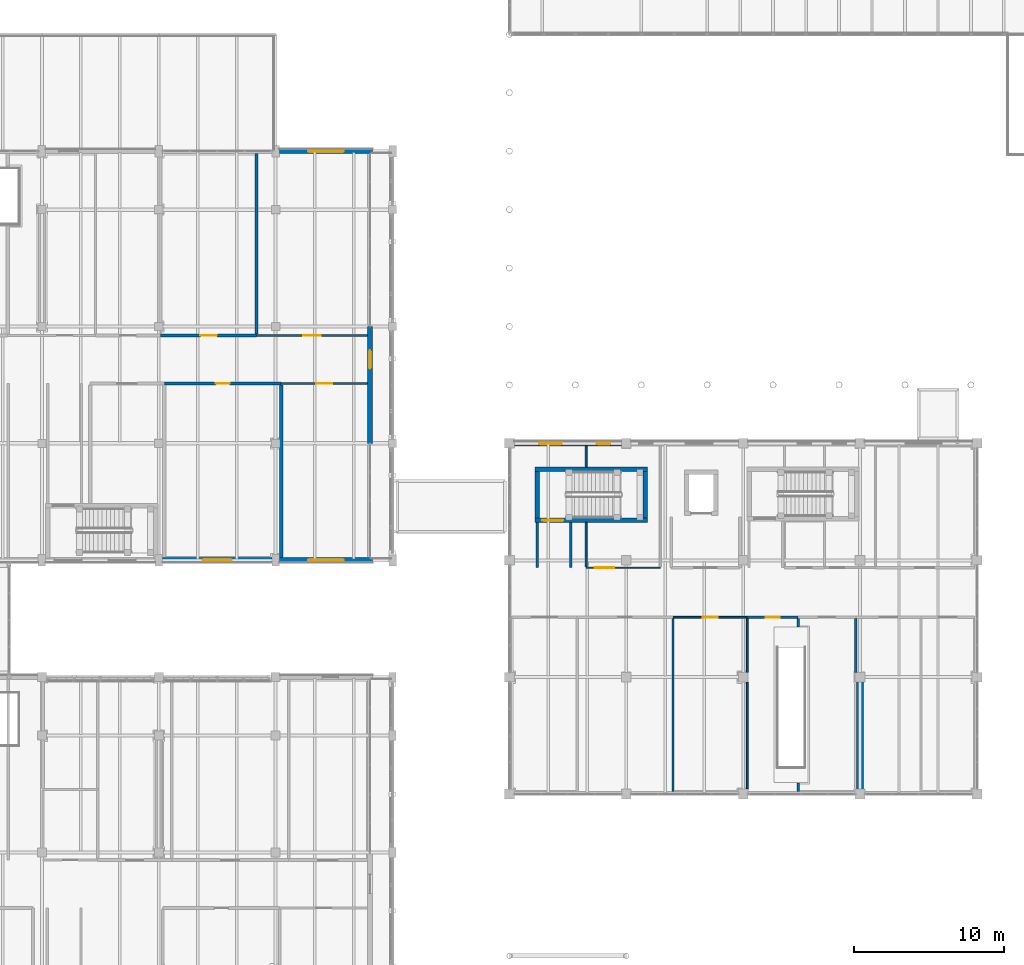
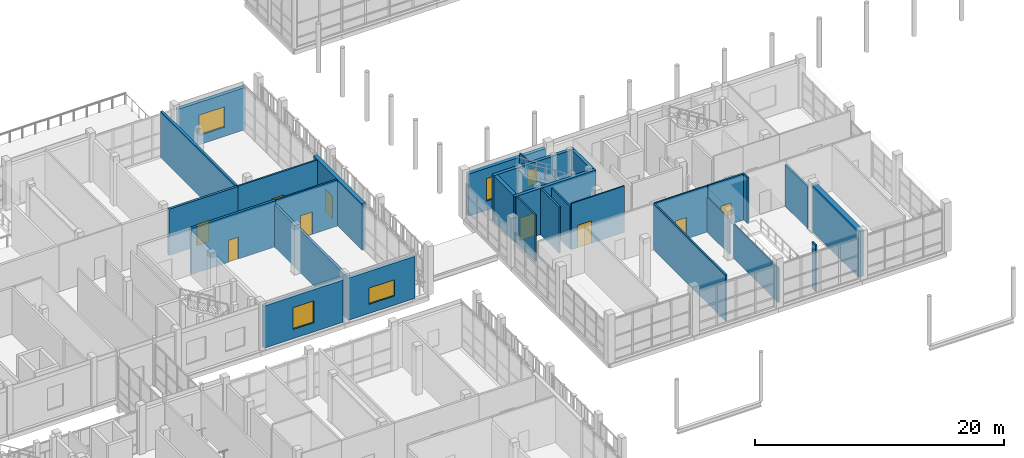
# One storey, part 104 of 138: 29 walls, 9 doors, 5 windows, 14 openings.
"""IFC4 building model written with IfcOpenShell, lengths in metres."""

import ifcopenshell
import ifcopenshell.guid

model = None  # the IFC model being written
_history = None  # IfcOwnerHistory: only IFC2X3 demands one
_inside = {}  # id of a spatial element -> (the spatial element, [elements in it])
_under = {}  # id of a project, library or spatial element -> (it, [spatial elements below it])
_declared = {}  # id of a project -> (the project, [libraries it declares])
_typed = {}  # id of a type object -> (the type object, [elements of that type])
_made_of = {}  # id of a material, layer set ... -> (it, [elements and type objects made of it])


def new_model(schema):
    """Start an empty IFC model of exactly this schema.

    Asked for "IFC4X3", IfcOpenShell would pick the latest addendum, in which some entities
    have other attributes; the version numbers below select the first issue.
    IFC2X3 requires an IfcOwnerHistory on every rooted entity: one is made here for all.
    """
    global model, _history
    if schema == "IFC4X3":
        model = ifcopenshell.file(schema_version=(4, 3, 0, 0))
    else:
        model = ifcopenshell.file(schema=schema)
    _inside.clear()
    _under.clear()
    _declared.clear()
    _typed.clear()
    _made_of.clear()
    _history = None
    if model.schema == "IFC2X3":
        org = make("IfcOrganization", Name="unknown")
        user = make(
            "IfcPersonAndOrganization",
            ThePerson=make("IfcPerson", FamilyName="unknown"),
            TheOrganization=org,
        )
        app = make(
            "IfcApplication",
            ApplicationDeveloper=org,
            Version="unknown",
            ApplicationFullName="unknown",
            ApplicationIdentifier="unknown",
        )
        _history = make(
            "IfcOwnerHistory",
            OwningUser=user,
            OwningApplication=app,
            ChangeAction="ADDED",
            CreationDate=0,
        )
    return model


def make(cls, **values):
    """One entity of the class cls with the attributes given. An attribute that is None is left unset."""
    return model.create_entity(
        cls, **{name: value for name, value in values.items() if value is not None}
    )


def rooted(cls, **values):
    """An entity with a GlobalId (a new one), such as an element, a storey or a relation."""
    return make(cls, GlobalId=ifcopenshell.guid.new(), OwnerHistory=_history, **values)


def si_unit(unit_type, name, prefix=None):
    """IfcSIUnit, for example si_unit("LENGTHUNIT", "METRE", prefix="MILLI")."""
    return make("IfcSIUnit", UnitType=unit_type, Prefix=prefix, Name=name)


def assignment(units):
    """IfcUnitAssignment: the units of a project."""
    return None if units is None else make("IfcUnitAssignment", Units=units)


def point(xyz):
    """IfcCartesianPoint."""
    return None if xyz is None else make("IfcCartesianPoint", Coordinates=xyz)


def direction(xyz):
    """IfcDirection."""
    return None if xyz is None else make("IfcDirection", DirectionRatios=xyz)


def frame(location, z_axis=None, x_axis=None):
    """IfcAxis2Placement3D, a coordinate frame: its origin and axes. An axis left out is left unset."""
    return make(
        "IfcAxis2Placement3D",
        Location=point(location),
        Axis=direction(z_axis),
        RefDirection=direction(x_axis),
    )


def frame_2d(location, x_axis=None):
    """IfcAxis2Placement2D, a coordinate frame in the plane: its origin and x axis."""
    return make(
        "IfcAxis2Placement2D", Location=point(location), RefDirection=direction(x_axis)
    )


def origin():
    """The frame at (0, 0, 0) with its axes left unset."""
    return frame((0.0, 0.0, 0.0))


def place(relative_to, where):
    """IfcLocalPlacement: puts the frame where relative to a parent placement (None: the world)."""
    return make(
        "IfcLocalPlacement", PlacementRelTo=relative_to, RelativePlacement=where
    )


def context(
    kind, dimensions, precision=None, world=None, true_north=None, identifier=None
):
    """IfcGeometricRepresentationContext, for example the 3D "Model" context."""
    return make(
        "IfcGeometricRepresentationContext",
        ContextIdentifier=identifier,
        ContextType=kind,
        CoordinateSpaceDimension=dimensions,
        Precision=precision,
        WorldCoordinateSystem=world,
        TrueNorth=true_north,
    )


def subcontext(parent, identifier, kind, view, scale=None):
    """IfcGeometricRepresentationSubContext, for example "Body" below "Model"."""
    return make(
        "IfcGeometricRepresentationSubContext",
        ContextIdentifier=identifier,
        ContextType=kind,
        ParentContext=parent,
        TargetScale=scale,
        TargetView=view,
    )


def project(units=None, contexts=None):
    """IfcProject with its units and contexts."""
    return rooted(
        "IfcProject",
        Name="project",
        RepresentationContexts=contexts,
        UnitsInContext=assignment(units),
    )


def spatial(cls, under=None, at=None, **own):
    """A site, building, storey or space (cls), placed at a placement, below another one or the project."""
    s = rooted(cls, ObjectPlacement=at, **own)
    if under is not None:
        _under.setdefault(under.id(), (under, []))[1].append(s)
    return s


def profile(cls, at=None, kind="AREA", **sizes):
    """A parametric profile (cls). Its sizes go by their IFC names, for example OverallWidth=200.0."""
    return make(cls, ProfileType=kind, Position=at, **sizes)


def rectangle(**sizes):
    """IfcRectangleProfileDef."""
    return profile("IfcRectangleProfileDef", **sizes)


def extrude(swept, where, along, depth):
    """IfcExtrudedAreaSolid: the profile swept, set in the frame where, extruded along a direction by depth."""
    return make(
        "IfcExtrudedAreaSolid",
        SweptArea=swept,
        Position=where,
        ExtrudedDirection=direction(along),
        Depth=depth,
    )


def shape(context_of_items, identifier, shape_type, items):
    """IfcShapeRepresentation: the items that make up one representation, for example the "Body"."""
    return make(
        "IfcShapeRepresentation",
        ContextOfItems=context_of_items,
        RepresentationIdentifier=identifier,
        RepresentationType=shape_type,
        Items=items,
    )


def material(Name=None, Category=None):
    """IfcMaterial."""
    return make("IfcMaterial", Name=Name, Category=Category)


def layer(
    of_material, thickness, ventilated=None, Name=None, Category=None, Priority=None
):
    """IfcMaterialLayer: one layer of a wall or slab, of a material (None: an air gap)."""
    return make(
        "IfcMaterialLayer",
        Material=of_material,
        LayerThickness=thickness,
        IsVentilated=ventilated,
        Name=Name,
        Category=Category,
        Priority=Priority,
    )


def layer_set(layers, Name=None):
    """IfcMaterialLayerSet."""
    return make("IfcMaterialLayerSet", MaterialLayers=layers, LayerSetName=Name)


def made_of(thing, what):
    """Note that an element or type object is made of a material, layer set ...; save() writes the relation."""
    if what is not None:
        _made_of.setdefault(what.id(), (what, []))[1].append(thing)
    return thing


def type_object(cls, material=None, **own):
    """A type object (cls), such as IfcWallType, which elements share."""
    return made_of(rooted(cls, **own), material)


def element(
    cls,
    number,
    at=None,
    inside=None,
    cuts=None,
    type_object=None,
    material=None,
    context=None,
    identifier="Body",
    shape_type=None,
    held_by="IfcProductDefinitionShape",
    body=None,
    shapes=None,
    **own,
):
    """One element of the class cls, such as IfcWall. Its Tag is "e" and its number.

    at: its placement. inside: the storey or other place that contains it. cuts: it is an
    opening in that element (IfcRelVoidsElement). A single representation is given by context,
    identifier, shape_type and body (its items); several are given by shapes. held_by: the class
    of the entity that holds the representations. save() writes the other relations.
    """
    e = rooted(cls, Tag="e%d" % number, ObjectPlacement=at, **own)
    if body is not None:
        shapes = [shape(context, identifier, shape_type, body)]
    if shapes is not None:
        e.Representation = make(held_by, Representations=shapes)
    if inside is not None:
        _inside.setdefault(inside.id(), (inside, []))[1].append(e)
    if cuts is not None:
        rooted(
            "IfcRelVoidsElement", RelatingBuildingElement=cuts, RelatedOpeningElement=e
        )
    if type_object is not None:
        _typed.setdefault(type_object.id(), (type_object, []))[1].append(e)
    return made_of(e, material)


def fill(opening, filler):
    """IfcRelFillsElement: the door or window that sits in an opening."""
    return rooted(
        "IfcRelFillsElement",
        RelatingOpeningElement=opening,
        RelatedBuildingElement=filler,
    )


def aggregate(whole, parts):
    """IfcRelAggregates: a whole, such as a stair, and the parts it consists of."""
    return rooted("IfcRelAggregates", RelatingObject=whole, RelatedObjects=parts)


def save(model, path):
    """Write the relations noted so far, then the file.

    IfcRelAggregates (storeys below a building ...), IfcRelContainedInSpatialStructure (elements
    in a storey), IfcRelDefinesByType, IfcRelAssociatesMaterial and IfcRelDeclares: one each for
    every whole, place, type object, material and project.
    """
    for whole, parts in _under.values():
        aggregate(whole, parts)
    for where, things in _inside.values():
        rooted(
            "IfcRelContainedInSpatialStructure",
            RelatedElements=things,
            RelatingStructure=where,
        )
    for kind, things in _typed.values():
        rooted("IfcRelDefinesByType", RelatedObjects=things, RelatingType=kind)
    for what, things in _made_of.values():
        rooted("IfcRelAssociatesMaterial", RelatedObjects=things, RelatingMaterial=what)
    for by, libraries in _declared.values():
        rooted("IfcRelDeclares", RelatingContext=by, RelatedDefinitions=libraries)
    model.write(path)


model = new_model("IFC4")

# Units and contexts
model_context = context("Model", 3, precision=1e-05, world=origin(), true_north=direction((0.0, 1.0)))
body_context = subcontext(model_context, "Body", "Model", "MODEL_VIEW")
ifc_project = project(units=[si_unit("LENGTHUNIT", "METRE"), si_unit("AREAUNIT", "SQUARE_METRE"), si_unit("VOLUMEUNIT", "CUBIC_METRE"), si_unit("PLANEANGLEUNIT", "RADIAN"), si_unit("MASSUNIT", "GRAM", prefix="KILO")], contexts=[model_context])

# Site, building, storey
site_placement = place(None, origin())
site = spatial("IfcSite", under=ifc_project, at=site_placement, CompositionType="ELEMENT")
building_placement = place(site_placement, origin())
building = spatial("IfcBuilding", under=site, at=building_placement, Name="Celorna Specialist Clinic", CompositionType="ELEMENT")
storey_placement = place(building_placement, frame((0.0, 0.0, 4.800048828125)))
storey = spatial("IfcBuildingStorey", under=building, at=storey_placement, Name="L01", CompositionType="ELEMENT", Elevation=4.800048828125)

# Wall
ifc_material_1 = material(Name="Concrete C40/50", Category="concrete")
ifc_layer_1 = layer(ifc_material_1, 0.449951171875, Name="Concrete C40/50")
ifc_layer_set_1 = layer_set([ifc_layer_1], Name="Concrete C40/50")
wall_type_1 = type_object("IfcWallType", Name="WT-04", PredefinedType="SHEAR", material=ifc_layer_set_1)
wall_1_placement = place(storey_placement, frame((78.0, 19.64990234375, 0.0), z_axis=(0.0, 0.0, 1.0), x_axis=(0.0, 1.0, 0.0)))
element("IfcWall", 1, at=wall_1_placement, inside=storey, type_object=wall_type_1, Name="Structural RC shear wall WT-04 V6 L01", PredefinedType="SHEAR", context=body_context, shape_type="SweptSolid", body=[
    extrude(rectangle(XDim=7.5, YDim=0.449951171875, at=frame_2d((3.75, 0.0))), origin(), (0.0, 0.0, 1.0), 4.5400390625),
])

# Wall, opening, window
ifc_material_2 = material(Name="Pero Pinheiro Lioz limestone insulated masonry", Category="masonry")
ifc_layer_2 = layer(ifc_material_2, 0.340087890625, Name="Pero Pinheiro Lioz limestone insulated masonry")
ifc_layer_set_2 = layer_set([ifc_layer_2], Name="Pero Pinheiro Lioz limestone insulated masonry")
wall_type_2 = type_object("IfcWallType", Name="WT-07", PredefinedType="STANDARD", material=ifc_layer_set_2)
wall_2_placement = place(storey_placement, frame((38.75, 35.10009765625, 0.0), z_axis=(0.0, 0.0, 1.0), x_axis=(-1.0, 0.0, 0.0)))
wall_2 = element("IfcWall", 2, at=wall_2_placement, inside=storey, type_object=wall_type_2, Name="External facade wall WT-07 #121", PredefinedType="STANDARD", context=body_context, shape_type="SweptSolid", body=[
    extrude(rectangle(XDim=7.300048828125, YDim=0.340087890625, at=frame_2d((3.64990234375, 0.0))), origin(), (0.0, 0.0, 1.0), 4.139892578125),
])
opening_1_placement = place(wall_2_placement, frame((2.675048828125, 0.0, 0.89990234375)))
opening_1 = element("IfcOpeningElement", 3, at=opening_1_placement, cuts=wall_2, Name="Opening WN-16", PredefinedType="OPENING", context=body_context, shape_type="SweptSolid", body=[
    extrude(rectangle(XDim=1.949951171875, YDim=2.14990234375, at=frame_2d((0.97509765625, 1.074951171875))), frame((0.0, 0.179931640625, 0.0), z_axis=(0.0, -1.0, 0.0), x_axis=(1.0, 0.0, 0.0)), (0.0, 0.0, 1.0), 0.360107421875),
])
ifc_material_3 = material(Name="Screen-aligned modular clinic window")
window_type_1 = type_object("IfcWindowType", Name="WN-16", PartitioningType="SINGLE_PANEL", PredefinedType="WINDOW", material=ifc_material_3)
window_1_placement = place(opening_1_placement, origin())
window_1 = element("IfcWindow", 4, at=window_1_placement, inside=storey, type_object=window_type_1, Name="Facade window WN-16 #33", OverallHeight=2.14990234375, OverallWidth=1.949951171875, PartitioningType="SINGLE_PANEL", PredefinedType="WINDOW", context=body_context, shape_type="SweptSolid", body=[
    extrude(rectangle(XDim=1.949951171875, YDim=2.14990234375, at=frame_2d((0.97509765625, 1.074951171875))), frame((0.0, 0.030029296875, 0.0), z_axis=(0.0, -1.0, 0.0), x_axis=(1.0, 0.0, 0.0)), (0.0, 0.0, 1.0), 0.06005859375),
])
fill(opening_1, window_1)

wall_3_placement = place(storey_placement, frame((45.469970703125, 35.10009765625, 0.0), z_axis=(0.0, 0.0, 1.0), x_axis=(-1.0, 0.0, 0.0)))
wall_3 = element("IfcWall", 5, at=wall_3_placement, inside=storey, type_object=wall_type_2, Name="External facade wall WT-07 #122", PredefinedType="STANDARD", context=body_context, shape_type="SweptSolid", body=[
    extrude(rectangle(XDim=6.219970703125, YDim=0.340087890625, at=frame_2d((3.10986328125, 0.0))), origin(), (0.0, 0.0, 1.0), 4.139892578125),
])
opening_2_placement = place(wall_3_placement, frame((1.909912109375, 0.0, 0.89990234375)))
opening_2 = element("IfcOpeningElement", 6, at=opening_2_placement, cuts=wall_3, Name="Opening WN-18", PredefinedType="OPENING", context=body_context, shape_type="SweptSolid", body=[
    extrude(rectangle(XDim=2.39990234375, YDim=1.60009765625, at=frame_2d((1.199951171875, 0.800048828125))), frame((0.0, 0.179931640625, 0.0), z_axis=(0.0, -1.0, 0.0), x_axis=(1.0, 0.0, 0.0)), (0.0, 0.0, 1.0), 0.360107421875),
])
ifc_material_4 = material(Name="Infusion suite panoramic window")
window_type_2 = type_object("IfcWindowType", Name="WN-18", PartitioningType="SINGLE_PANEL", PredefinedType="WINDOW", material=ifc_material_4)
window_2_placement = place(opening_2_placement, origin())
window_2 = element("IfcWindow", 7, at=window_2_placement, inside=storey, type_object=window_type_2, Name="Facade window WN-18 #34", OverallHeight=1.60009765625, OverallWidth=2.39990234375, PartitioningType="SINGLE_PANEL", PredefinedType="WINDOW", context=body_context, shape_type="SweptSolid", body=[
    extrude(rectangle(XDim=2.39990234375, YDim=1.60009765625, at=frame_2d((1.199951171875, 0.800048828125))), frame((0.0, 0.030029296875, 0.0), z_axis=(0.0, -1.0, 0.0), x_axis=(1.0, 0.0, 0.0)), (0.0, 0.0, 1.0), 0.06005859375),
])
fill(opening_2, window_2)

wall_4_placement = place(storey_placement, frame((39.25, 62.39990234375, 0.0), z_axis=(0.0, 0.0, 1.0), x_axis=(1.0, 0.0, 0.0)))
wall_4 = element("IfcWall", 8, at=wall_4_placement, inside=storey, type_object=wall_type_2, Name="External facade wall WT-07 #124", PredefinedType="STANDARD", context=body_context, shape_type="SweptSolid", body=[
    extrude(rectangle(XDim=6.219970703125, YDim=0.340087890625, at=frame_2d((3.10986328125, 0.0))), origin(), (0.0, 0.0, 1.0), 4.139892578125),
])
opening_3_placement = place(wall_4_placement, frame((1.909912109375, 0.0, 0.89990234375)))
opening_3 = element("IfcOpeningElement", 9, at=opening_3_placement, cuts=wall_4, Name="Opening WN-19", PredefinedType="OPENING", context=body_context, shape_type="SweptSolid", body=[
    extrude(rectangle(XDim=2.39990234375, YDim=2.0, at=frame_2d((1.199951171875, 1.0))), frame((0.0, 0.179931640625, 0.0), z_axis=(0.0, -1.0, 0.0), x_axis=(1.0, 0.0, 0.0)), (0.0, 0.0, 1.0), 0.360107421875),
])
ifc_material_5 = material(Name="Rehabilitation gym daylight window")
window_type_3 = type_object("IfcWindowType", Name="WN-19", PartitioningType="SINGLE_PANEL", PredefinedType="WINDOW", material=ifc_material_5)
window_3_placement = place(opening_3_placement, origin())
window_3 = element("IfcWindow", 10, at=window_3_placement, inside=storey, type_object=window_type_3, Name="Facade window WN-19 #35", OverallHeight=2.0, OverallWidth=2.39990234375, PartitioningType="SINGLE_PANEL", PredefinedType="WINDOW", context=body_context, shape_type="SweptSolid", body=[
    extrude(rectangle(XDim=2.39990234375, YDim=2.0, at=frame_2d((1.199951171875, 1.0))), frame((0.0, 0.030029296875, 0.0), z_axis=(0.0, -1.0, 0.0), x_axis=(1.0, 0.0, 0.0)), (0.0, 0.0, 1.0), 0.06005859375),
])
fill(opening_3, window_3)

# Wall, opening, door
wall_5_placement = place(storey_placement, frame((45.300048828125, 50.699951171875, 0.0), z_axis=(0.0, 0.0, 1.0), x_axis=(0.0, -1.0, 0.0)))
wall_5 = element("IfcWall", 11, at=wall_5_placement, inside=storey, type_object=wall_type_2, Name="External facade wall WT-07 #129", PredefinedType="STANDARD", context=body_context, shape_type="SweptSolid", body=[
    extrude(rectangle(XDim=7.800048828125, YDim=0.340087890625, at=frame_2d((3.89990234375, 0.0))), origin(), (0.0, 0.0, 1.0), 4.5400390625),
])
opening_4_placement = place(wall_5_placement, frame((1.574951171875, 0.0, 0.0)))
opening_4 = element("IfcOpeningElement", 12, at=opening_4_placement, cuts=wall_5, Name="Opening DR-13", PredefinedType="OPENING", context=body_context, shape_type="SweptSolid", body=[
    extrude(rectangle(XDim=1.25, YDim=2.199951171875, at=frame_2d((0.625, 1.10009765625))), frame((0.0, 0.179931640625, 0.0), z_axis=(0.0, -1.0, 0.0), x_axis=(1.0, 0.0, 0.0)), (0.0, 0.0, 1.0), 0.360107421875),
])
ifc_material_6 = material(Name="Thermally broken glazed terrace door")
door_type_1 = type_object("IfcDoorType", Name="DR-13", OperationType="NOTDEFINED", PredefinedType="DOOR", material=ifc_material_6)
door_1_placement = place(opening_4_placement, frame((1.25, 0.0, 0.0), z_axis=(0.0, 0.0, 1.0), x_axis=(-1.0, 0.0, 0.0)))
door_1 = element("IfcDoor", 13, at=door_1_placement, inside=storey, type_object=door_type_1, Name="Terrace access door TER-V2-VER-L01", OperationType="SINGLE_SWING_LEFT", OverallHeight=2.199951171875, OverallWidth=1.25, PredefinedType="DOOR", context=body_context, shape_type="SweptSolid", body=[
    extrude(rectangle(XDim=1.25, YDim=2.199951171875, at=frame_2d((0.625, 1.10009765625))), frame((0.0, 0.02490234375, 0.0), z_axis=(0.0, -1.0, 0.0), x_axis=(1.0, 0.0, 0.0)), (0.0, 0.0, 1.0), 0.050048828125),
])
fill(opening_4, door_1)

# Wall, openings, windows
wall_6_placement = place(storey_placement, frame((54.925048828125, 42.89990234375, 0.0), z_axis=(0.0, 0.0, 1.0), x_axis=(1.0, 0.0, 0.0)))
wall_6 = element("IfcWall", 14, at=wall_6_placement, inside=storey, type_object=wall_type_2, Name="External facade wall WT-07 #387", PredefinedType="STANDARD", context=body_context, shape_type="SweptSolid", body=[
    extrude(rectangle(XDim=7.14990234375, YDim=0.340087890625, at=frame_2d((3.574951171875, 0.0))), origin(), (0.0, 0.0, 1.0), 4.139892578125),
])
opening_5_placement = place(wall_6_placement, frame((1.657470703125, 0.0, 0.89990234375)))
opening_5 = element("IfcOpeningElement", 15, at=opening_5_placement, cuts=wall_6, Name="Opening WN-10", PredefinedType="OPENING", context=body_context, shape_type="SweptSolid", body=[
    extrude(rectangle(XDim=1.5, YDim=2.199951171875, at=frame_2d((0.75, 1.10009765625))), frame((0.0, 0.179931640625, 0.0), z_axis=(0.0, -1.0, 0.0), x_axis=(1.0, 0.0, 0.0)), (0.0, 0.0, 1.0), 0.360107421875),
])
opening_6_placement = place(wall_6_placement, frame((5.512451171875, 0.0, 0.89990234375)))
opening_6 = element("IfcOpeningElement", 16, at=opening_6_placement, cuts=wall_6, Name="Opening WN-01", PredefinedType="OPENING", context=body_context, shape_type="SweptSolid", body=[
    extrude(rectangle(XDim=0.89990234375, YDim=1.60009765625, at=frame_2d((0.449951171875, 0.800048828125))), frame((0.0, 0.179931640625, 0.0), z_axis=(0.0, -1.0, 0.0), x_axis=(1.0, 0.0, 0.0)), (0.0, 0.0, 1.0), 0.360107421875),
])
ifc_material_7 = material(Name="Thermally broken aluminium triple-glazed window", Category="aluminium")
window_type_4 = type_object("IfcWindowType", Name="WN-01", PartitioningType="SINGLE_PANEL", PredefinedType="WINDOW", material=ifc_material_7)
window_4_placement = place(opening_6_placement, origin())
window_4 = element("IfcWindow", 17, at=window_4_placement, inside=storey, type_object=window_type_4, Name="Facade window WN-01 #248", OverallHeight=1.60009765625, OverallWidth=0.89990234375, PartitioningType="SINGLE_PANEL", PredefinedType="WINDOW", context=body_context, shape_type="SweptSolid", body=[
    extrude(rectangle(XDim=0.89990234375, YDim=1.60009765625, at=frame_2d((0.449951171875, 0.800048828125))), frame((0.0, 0.030029296875, 0.0), z_axis=(0.0, -1.0, 0.0), x_axis=(1.0, 0.0, 0.0)), (0.0, 0.0, 1.0), 0.06005859375),
])
fill(opening_6, window_4)
window_type_5 = type_object("IfcWindowType", Name="WN-10", PartitioningType="SINGLE_PANEL", PredefinedType="WINDOW", material=ifc_material_7)
window_5_placement = place(opening_5_placement, origin())
window_5 = element("IfcWindow", 18, at=window_5_placement, inside=storey, type_object=window_type_5, Name="Facade window WN-10 #247", OverallHeight=2.199951171875, OverallWidth=1.5, PartitioningType="SINGLE_PANEL", PredefinedType="WINDOW", context=body_context, shape_type="SweptSolid", body=[
    extrude(rectangle(XDim=1.5, YDim=2.199951171875, at=frame_2d((0.75, 1.10009765625))), frame((0.0, 0.030029296875, 0.0), z_axis=(0.0, -1.0, 0.0), x_axis=(1.0, 0.0, 0.0)), (0.0, 0.0, 1.0), 0.06005859375),
])
fill(opening_5, window_5)

# Wall, opening, door
ifc_material_8 = material(Name="Concrete C35/45", Category="concrete")
ifc_layer_3 = layer(ifc_material_8, 0.300048828125, Name="Concrete C35/45")
ifc_layer_set_3 = layer_set([ifc_layer_3], Name="Concrete C35/45")
wall_type_3 = type_object("IfcWallType", Name="WT-08", PredefinedType="SHEAR", material=ifc_layer_set_3)
wall_7_placement = place(storey_placement, frame((56.300048828125, 37.77001953125, 0.0), z_axis=(0.0, 0.0, 1.0), x_axis=(1.0, 0.0, 0.0)))
wall_7 = element("IfcWall", 19, at=wall_7_placement, inside=storey, type_object=wall_type_3, Name="Stair ST-08 RC core wall L01 south", PredefinedType="SHEAR", context=body_context, shape_type="SweptSolid", body=[
    extrude(rectangle(XDim=7.5, YDim=0.300048828125, at=frame_2d((3.75, 0.0))), origin(), (0.0, 0.0, 1.0), 4.5400390625),
])
opening_7_placement = place(wall_7_placement, frame((0.5, 0.0, 0.0)))
opening_7 = element("IfcOpeningElement", 20, at=opening_7_placement, cuts=wall_7, Name="Opening DR-10", PredefinedType="OPENING", context=body_context, shape_type="SweptSolid", body=[
    extrude(rectangle(XDim=1.39990234375, YDim=2.199951171875, at=frame_2d((0.699951171875, 1.10009765625))), frame((0.0, 0.159912109375, 0.0), z_axis=(0.0, -1.0, 0.0), x_axis=(1.0, 0.0, 0.0)), (0.0, 0.0, 1.0), 0.320068359375),
])
ifc_material_9 = material(Name="Protected exit stair fire door")
door_type_2 = type_object("IfcDoorType", Name="DR-10", OperationType="NOTDEFINED", PredefinedType="DOOR", material=ifc_material_9)
door_2_placement = place(opening_7_placement, origin())
door_2 = element("IfcDoor", 21, at=door_2_placement, inside=storey, type_object=door_type_2, Name="Protected exit stair door ST-08 L01", OperationType="SINGLE_SWING_RIGHT", OverallHeight=2.199951171875, OverallWidth=1.39990234375, PredefinedType="DOOR", context=body_context, shape_type="SweptSolid", body=[
    extrude(rectangle(XDim=1.39990234375, YDim=2.199951171875, at=frame_2d((0.699951171875, 1.10009765625))), frame((0.0, 0.02490234375, 0.0), z_axis=(0.0, -1.0, 0.0), x_axis=(1.0, 0.0, 0.0)), (0.0, 0.0, 1.0), 0.050048828125),
])
fill(opening_7, door_2)

# Walls
wall_8_placement = place(storey_placement, frame((63.800048828125, 41.169921875, 0.0), z_axis=(0.0, 0.0, 1.0), x_axis=(-1.0, 0.0, 0.0)))
element("IfcWall", 22, at=wall_8_placement, inside=storey, type_object=wall_type_3, Name="Stair ST-08 RC core wall L01 north", PredefinedType="SHEAR", context=body_context, shape_type="SweptSolid", body=[
    extrude(rectangle(XDim=7.5, YDim=0.300048828125, at=frame_2d((3.75, 0.0))), origin(), (0.0, 0.0, 1.0), 4.5400390625),
])
for number, where, z_axis, x_axis, name in (
    (23, (56.449951171875, 41.02001953125, 0.0), (0.0, 0.0, 1.0), (0.0, -1.0, 0.0), "Stair ST-08 RC core wall L01 west"),
    (24, (63.64990234375, 37.919921875, 0.0), (0.0, 0.0, 1.0), (0.0, 1.0, 0.0), "Stair ST-08 RC core wall L01 east"),
):
    element("IfcWall", number, at=place(storey_placement, frame(where, z_axis=z_axis, x_axis=x_axis)), inside=storey, type_object=wall_type_3, Name=name, PredefinedType="SHEAR", context=body_context, shape_type="SweptSolid", body=[
        extrude(rectangle(XDim=3.10009765625, YDim=0.300048828125, at=frame_2d((1.550048828125, 0.0))), origin(), (0.0, 0.0, 1.0), 4.5400390625),
    ])

# Wall, opening, door
ifc_material_10 = material(Name="Lead-lined gypsum and masonry partition", Category="masonry")
ifc_layer_4 = layer(ifc_material_10, 0.219970703125, Name="Lead-lined gypsum and masonry partition")
ifc_layer_set_4 = layer_set([ifc_layer_4], Name="Lead-lined gypsum and masonry partition")
wall_type_4 = type_object("IfcWallType", Name="WT-11", PredefinedType="PARTITIONING", material=ifc_layer_set_4)
wall_9_placement = place(storey_placement, frame((39.3701171875, 46.89990234375, 0.0), z_axis=(0.0, 0.0, 1.0), x_axis=(-1.0, 0.0, 0.0)))
wall_9 = element("IfcWall", 25, at=wall_9_placement, inside=storey, type_object=wall_type_4, Name="Interior partition WT-11 L01-027", PredefinedType="PARTITIONING", context=body_context, shape_type="SweptSolid", body=[
    extrude(rectangle(XDim=7.800048828125, YDim=0.219970703125, at=frame_2d((3.89990234375, 0.0))), origin(), (0.0, 0.0, 1.0), 4.5400390625),
])
opening_8_placement = place(wall_9_placement, frame((3.43994140625, 0.0, 0.0)))
opening_8 = element("IfcOpeningElement", 26, at=opening_8_placement, cuts=wall_9, Name="Opening DR-20", PredefinedType="OPENING", context=body_context, shape_type="SweptSolid", body=[
    extrude(rectangle(XDim=0.919921875, YDim=2.14990234375, at=frame_2d((0.4599609375, 1.074951171875))), frame((0.0, 0.119873046875, 0.0), z_axis=(0.0, -1.0, 0.0), x_axis=(1.0, 0.0, 0.0)), (0.0, 0.0, 1.0), 0.239990234375),
])
ifc_material_11 = material(Name="Timber clinical consultation door", Category="wood")
door_type_3 = type_object("IfcDoorType", Name="DR-20", OperationType="NOTDEFINED", PredefinedType="DOOR", material=ifc_material_11)
door_3_placement = place(opening_8_placement, origin())
door_3 = element("IfcDoor", 27, at=door_3_placement, inside=storey, type_object=door_type_3, Name="Fluoroscopy Procedure Room door L01-027", OperationType="SINGLE_SWING_LEFT", OverallHeight=2.14990234375, OverallWidth=0.919921875, PredefinedType="DOOR", context=body_context, shape_type="SweptSolid", body=[
    extrude(rectangle(XDim=0.919921875, YDim=2.14990234375, at=frame_2d((0.4599609375, 1.074951171875))), frame((0.0, 0.02490234375, 0.0), z_axis=(0.0, -1.0, 0.0), x_axis=(1.0, 0.0, 0.0)), (0.0, 0.0, 1.0), 0.050048828125),
])
fill(opening_8, door_3)

wall_10_placement = place(storey_placement, frame((31.320068359375, 50.10009765625, 0.0), z_axis=(0.0, 0.0, 1.0), x_axis=(1.0, 0.0, 0.0)))
wall_10 = element("IfcWall", 28, at=wall_10_placement, inside=storey, type_object=wall_type_4, Name="Interior partition WT-11 L01-035", PredefinedType="PARTITIONING", context=body_context, shape_type="SweptSolid", body=[
    extrude(rectangle(XDim=6.39990234375, YDim=0.219970703125, at=frame_2d((3.199951171875, 0.0))), origin(), (0.0, 0.0, 1.0), 4.5400390625),
])
opening_9_placement = place(wall_10_placement, frame((2.64990234375, 0.0, 0.0)))
opening_9 = element("IfcOpeningElement", 29, at=opening_9_placement, cuts=wall_10, Name="Opening DR-06", PredefinedType="OPENING", context=body_context, shape_type="SweptSolid", body=[
    extrude(rectangle(XDim=1.10009765625, YDim=2.14990234375, at=frame_2d((0.550048828125, 1.074951171875))), frame((0.0, 0.119873046875, 0.0), z_axis=(0.0, -1.0, 0.0), x_axis=(1.0, 0.0, 0.0)), (0.0, 0.0, 1.0), 0.239990234375),
])
ifc_material_12 = material(Name="Clinical treatment suite door")
door_type_4 = type_object("IfcDoorType", Name="DR-06", OperationType="NOTDEFINED", PredefinedType="DOOR", material=ifc_material_12)
door_4_placement = place(opening_9_placement, origin())
door_4 = element("IfcDoor", 30, at=door_4_placement, inside=storey, type_object=door_type_4, Name="Fluoroscopy Procedure Room door L01-035", OperationType="SINGLE_SWING_LEFT", OverallHeight=2.14990234375, OverallWidth=1.10009765625, PredefinedType="DOOR", context=body_context, shape_type="SweptSolid", body=[
    extrude(rectangle(XDim=1.10009765625, YDim=2.14990234375, at=frame_2d((0.550048828125, 1.074951171875))), frame((0.0, 0.02490234375, 0.0), z_axis=(0.0, -1.0, 0.0), x_axis=(1.0, 0.0, 0.0)), (0.0, 0.0, 1.0), 0.050048828125),
])
fill(opening_9, door_4)

# Walls
wall_11_placement = place(storey_placement, frame((39.3701171875, 35.27001953125, 0.0), z_axis=(0.0, 0.0, 1.0), x_axis=(0.0, 1.0, 0.0)))
element("IfcWall", 31, at=wall_11_placement, inside=storey, type_object=wall_type_4, Name="Room dividing partition WT-11 L01-027", PredefinedType="PARTITIONING", context=body_context, shape_type="SweptSolid", body=[
    extrude(rectangle(XDim=11.52001953125, YDim=0.219970703125, at=frame_2d((5.760009765625, 0.0))), origin(), (0.0, 0.0, 1.0), 4.139892578125),
])
wall_12_placement = place(storey_placement, frame((37.719970703125, 50.2099609375, 0.0), z_axis=(0.0, 0.0, 1.0), x_axis=(0.0, 1.0, 0.0)))
element("IfcWall", 32, at=wall_12_placement, inside=storey, type_object=wall_type_4, Name="Room dividing partition WT-11 L01-035", PredefinedType="PARTITIONING", context=body_context, shape_type="SweptSolid", body=[
    extrude(rectangle(XDim=12.02001953125, YDim=0.219970703125, at=frame_2d((6.010009765625, 0.0))), origin(), (0.0, 0.0, 1.0), 4.5400390625),
])
ifc_material_13 = material(Name="Fire-rated gypsum board partition")
ifc_layer_5 = layer(ifc_material_13, 0.14990234375, Name="Fire-rated gypsum board partition")
ifc_layer_set_5 = layer_set([ifc_layer_5], Name="Fire-rated gypsum board partition")
wall_type_5 = type_object("IfcWallType", Name="WT-14", PredefinedType="PARTITIONING", material=ifc_layer_set_5)
for number, where, z_axis, x_axis, name in (
    (33, (56.449951171875, 34.60009765625, 0.0), (0.0, 0.0, 1.0), (0.0, 1.0, 0.0), "Corridor spur partition WT-14"),
    (34, (58.699951171875, 34.60009765625, 0.0), (0.0, 0.0, 1.0), (0.0, 1.0, 0.0), "Corridor spur partition WT-14"),
):
    element("IfcWall", number, at=place(storey_placement, frame(where, z_axis=z_axis, x_axis=x_axis)), inside=storey, type_object=wall_type_5, Name=name, PredefinedType="PARTITIONING", context=body_context, shape_type="SweptSolid", body=[
        extrude(rectangle(XDim=3.02001953125, YDim=0.14990234375, at=frame_2d((1.510009765625, 0.0))), origin(), (0.0, 0.0, 1.0), 4.5400390625),
    ])

# Wall, opening, door
wall_13_placement = place(storey_placement, frame((45.1298828125, 46.89990234375, 0.0), z_axis=(0.0, 0.0, 1.0), x_axis=(-1.0, 0.0, 0.0)))
wall_13 = element("IfcWall", 35, at=wall_13_placement, inside=storey, type_object=wall_type_5, Name="Interior partition WT-14 L01-028", PredefinedType="PARTITIONING", context=body_context, shape_type="SweptSolid", body=[
    extrude(rectangle(XDim=5.759765625, YDim=0.14990234375, at=frame_2d((2.8798828125, 0.0))), origin(), (0.0, 0.0, 1.0), 4.5400390625),
])
opening_10_placement = place(wall_13_placement, frame((2.340087890625, 0.0, 0.0)))
opening_10 = element("IfcOpeningElement", 36, at=opening_10_placement, cuts=wall_13, Name="Opening DR-21", PredefinedType="OPENING", context=body_context, shape_type="SweptSolid", body=[
    extrude(rectangle(XDim=1.080078125, YDim=2.199951171875, at=frame_2d((0.5400390625, 1.10009765625))), frame((0.0, 0.0849609375, 0.0), z_axis=(0.0, -1.0, 0.0), x_axis=(1.0, 0.0, 0.0)), (0.0, 0.0, 1.0), 0.169921875),
])
ifc_material_14 = material(Name="Timber outpatient suite door", Category="wood")
door_type_5 = type_object("IfcDoorType", Name="DR-21", OperationType="NOTDEFINED", PredefinedType="DOOR", material=ifc_material_14)
door_5_placement = place(opening_10_placement, origin())
door_5 = element("IfcDoor", 37, at=door_5_placement, inside=storey, type_object=door_type_5, Name="Bone Densitometry Imaging Room door L01-028", OperationType="SINGLE_SWING_RIGHT", OverallHeight=2.199951171875, OverallWidth=1.080078125, PredefinedType="DOOR", context=body_context, shape_type="SweptSolid", body=[
    extrude(rectangle(XDim=1.080078125, YDim=2.199951171875, at=frame_2d((0.5400390625, 1.10009765625))), frame((0.0, 0.02490234375, 0.0), z_axis=(0.0, -1.0, 0.0), x_axis=(1.0, 0.0, 0.0)), (0.0, 0.0, 1.0), 0.050048828125),
])
fill(opening_10, door_5)

wall_14_placement = place(storey_placement, frame((37.719970703125, 50.10009765625, 0.0), z_axis=(0.0, 0.0, 1.0), x_axis=(1.0, 0.0, 0.0)))
wall_14 = element("IfcWall", 38, at=wall_14_placement, inside=storey, type_object=wall_type_5, Name="Interior partition WT-14 L01-036", PredefinedType="PARTITIONING", context=body_context, shape_type="SweptSolid", body=[
    extrude(rectangle(XDim=7.409912109375, YDim=0.14990234375, at=frame_2d((3.705078125, 0.0))), origin(), (0.0, 0.0, 1.0), 4.5400390625),
])
opening_11_placement = place(wall_14_placement, frame((3.1298828125, 0.0, 0.0)))
opening_11 = element("IfcOpeningElement", 39, at=opening_11_placement, cuts=wall_14, Name="Opening DR-07", PredefinedType="OPENING", context=body_context, shape_type="SweptSolid", body=[
    extrude(rectangle(XDim=1.14990234375, YDim=2.199951171875, at=frame_2d((0.574951171875, 1.10009765625))), frame((0.0, 0.0849609375, 0.0), z_axis=(0.0, -1.0, 0.0), x_axis=(1.0, 0.0, 0.0)), (0.0, 0.0, 1.0), 0.169921875),
])
ifc_material_15 = material(Name="Hermetic cleanroom airlock door")
door_type_6 = type_object("IfcDoorType", Name="DR-07", OperationType="NOTDEFINED", PredefinedType="DOOR", material=ifc_material_15)
door_6_placement = place(opening_11_placement, origin())
door_6 = element("IfcDoor", 40, at=door_6_placement, inside=storey, type_object=door_type_6, Name="Bone Densitometry Imaging Room door L01-036", OperationType="SINGLE_SWING_RIGHT", OverallHeight=2.199951171875, OverallWidth=1.14990234375, PredefinedType="DOOR", context=body_context, shape_type="SweptSolid", body=[
    extrude(rectangle(XDim=1.14990234375, YDim=2.199951171875, at=frame_2d((0.574951171875, 1.10009765625))), frame((0.0, 0.02490234375, 0.0), z_axis=(0.0, -1.0, 0.0), x_axis=(1.0, 0.0, 0.0)), (0.0, 0.0, 1.0), 0.050048828125),
])
fill(opening_11, door_6)

wall_15_placement = place(storey_placement, frame((73.8701171875, 31.300048828125, 0.0), z_axis=(0.0, 0.0, 1.0), x_axis=(-1.0, 0.0, 0.0)))
wall_15 = element("IfcWall", 41, at=wall_15_placement, inside=storey, type_object=wall_type_5, Name="Interior partition WT-14 L01-109", PredefinedType="PARTITIONING", context=body_context, shape_type="SweptSolid", body=[
    extrude(rectangle(XDim=3.400146484375, YDim=0.14990234375, at=frame_2d((1.7001953125, 0.0))), origin(), (0.0, 0.0, 1.0), 4.5400390625),
])
opening_12_placement = place(wall_15_placement, frame((1.22509765625, 0.0, 0.0)))
opening_12 = element("IfcOpeningElement", 42, at=opening_12_placement, cuts=wall_15, Name="Opening DR-03", PredefinedType="OPENING", context=body_context, shape_type="SweptSolid", body=[
    extrude(rectangle(XDim=0.949951171875, YDim=2.10009765625, at=frame_2d((0.47509765625, 1.050048828125))), frame((0.0, 0.0849609375, 0.0), z_axis=(0.0, -1.0, 0.0), x_axis=(1.0, 0.0, 0.0)), (0.0, 0.0, 1.0), 0.169921875),
])
ifc_material_16 = material(Name="Moisture-resistant accessible WC door")
door_type_7 = type_object("IfcDoorType", Name="DR-03", OperationType="NOTDEFINED", PredefinedType="DOOR", material=ifc_material_16)
door_7_placement = place(opening_12_placement, origin())
door_7 = element("IfcDoor", 43, at=door_7_placement, inside=storey, type_object=door_type_7, Name="Accessible WC door L01-109", OperationType="SINGLE_SWING_RIGHT", OverallHeight=2.10009765625, OverallWidth=0.949951171875, PredefinedType="DOOR", context=body_context, shape_type="SweptSolid", body=[
    extrude(rectangle(XDim=0.949951171875, YDim=2.10009765625, at=frame_2d((0.47509765625, 1.050048828125))), frame((0.0, 0.02490234375, 0.0), z_axis=(0.0, -1.0, 0.0), x_axis=(1.0, 0.0, 0.0)), (0.0, 0.0, 1.0), 0.050048828125),
])
fill(opening_12, door_7)

# Walls
wall_16_placement = place(storey_placement, frame((65.52001953125, 19.669921875, 0.0), z_axis=(0.0, 0.0, 1.0), x_axis=(0.0, 1.0, 0.0)))
element("IfcWall", 44, at=wall_16_placement, inside=storey, type_object=wall_type_5, Name="Room dividing partition WT-14 L01-107", PredefinedType="PARTITIONING", context=body_context, shape_type="SweptSolid", body=[
    extrude(rectangle(XDim=11.55517578125, YDim=0.14990234375, at=frame_2d((5.777587890625, 0.0))), origin(), (0.0, 0.0, 1.0), 4.5400390625),
])
for number, where, z_axis, x_axis, name in (
    (45, (73.8701171875, 19.669921875, 0.0), (0.0, 0.0, 1.0), (0.0, 1.0, 0.0), "Room dividing partition WT-14 L01-109"),
    (46, (73.8701171875, 30.64501953125, 0.0), (0.0, 0.0, 1.0), (0.0, 1.0, 0.0), "Room dividing partition WT-14 L01-109"),
):
    element("IfcWall", number, at=place(storey_placement, frame(where, z_axis=z_axis, x_axis=x_axis)), inside=storey, type_object=wall_type_5, Name=name, PredefinedType="PARTITIONING", context=body_context, shape_type="SweptSolid", body=[
        extrude(rectangle(XDim=0.580078125, YDim=0.14990234375, at=frame_2d((0.2900390625, 0.0))), origin(), (0.0, 0.0, 1.0), 4.5400390625),
    ])
wall_17_placement = place(storey_placement, frame((77.719970703125, 27.625, 0.0), z_axis=(0.0, 0.0, 1.0), x_axis=(0.0, 1.0, 0.0)))
element("IfcWall", 47, at=wall_17_placement, inside=storey, type_object=wall_type_5, Name="Room dividing partition WT-14 L01-110", PredefinedType="PARTITIONING", context=body_context, shape_type="SweptSolid", body=[
    extrude(rectangle(XDim=3.60009765625, YDim=0.14990234375, at=frame_2d((1.800048828125, 0.0))), origin(), (0.0, 0.0, 1.0), 4.08984375),
])

# Wall, opening, door
ifc_material_17 = material(Name="Acoustic gypsum board partition")
ifc_layer_6 = layer(ifc_material_17, 0.1201171875, Name="Acoustic gypsum board partition")
ifc_layer_set_6 = layer_set([ifc_layer_6], Name="Acoustic gypsum board partition")
wall_type_6 = type_object("IfcWallType", Name="WT-15", PredefinedType="PARTITIONING", material=ifc_layer_set_6)
wall_18_placement = place(storey_placement, frame((70.469970703125, 31.300048828125, 0.0), z_axis=(0.0, 0.0, 1.0), x_axis=(-1.0, 0.0, 0.0)))
wall_18 = element("IfcWall", 48, at=wall_18_placement, inside=storey, type_object=wall_type_6, Name="Interior partition WT-15 L01-108", PredefinedType="PARTITIONING", context=body_context, shape_type="SweptSolid", body=[
    extrude(rectangle(XDim=4.949951171875, YDim=0.1201171875, at=frame_2d((2.47509765625, 0.0))), origin(), (0.0, 0.0, 1.0), 4.5400390625),
])
opening_13_placement = place(wall_18_placement, frame((1.97509765625, 0.0, 0.0)))
opening_13 = element("IfcOpeningElement", 49, at=opening_13_placement, cuts=wall_18, Name="Opening DR-04", PredefinedType="OPENING", context=body_context, shape_type="SweptSolid", body=[
    extrude(rectangle(XDim=1.0, YDim=2.10009765625, at=frame_2d((0.5, 1.050048828125))), frame((0.0, 0.070068359375, 0.0), z_axis=(0.0, -1.0, 0.0), x_axis=(1.0, 0.0, 0.0)), (0.0, 0.0, 1.0), 0.14013671875),
])
ifc_material_18 = material(Name="Timber consultation suite door", Category="wood")
door_type_8 = type_object("IfcDoorType", Name="DR-04", OperationType="NOTDEFINED", PredefinedType="DOOR", material=ifc_material_18)
door_8_placement = place(opening_13_placement, origin())
door_8 = element("IfcDoor", 50, at=door_8_placement, inside=storey, type_object=door_type_8, Name="Biostatistics Seminar Room door L01-108", OperationType="SINGLE_SWING_LEFT", OverallHeight=2.10009765625, OverallWidth=1.0, PredefinedType="DOOR", context=body_context, shape_type="SweptSolid", body=[
    extrude(rectangle(XDim=1.0, YDim=2.10009765625, at=frame_2d((0.5, 1.050048828125))), frame((0.0, 0.02490234375, 0.0), z_axis=(0.0, -1.0, 0.0), x_axis=(1.0, 0.0, 0.0)), (0.0, 0.0, 1.0), 0.050048828125),
])
fill(opening_13, door_8)

wall_19_placement = place(storey_placement, frame((59.719970703125, 34.60009765625, 0.0), z_axis=(0.0, 0.0, 1.0), x_axis=(1.0, 0.0, 0.0)))
wall_19 = element("IfcWall", 51, at=wall_19_placement, inside=storey, type_object=wall_type_6, Name="Interior partition WT-15 L01-113", PredefinedType="PARTITIONING", context=body_context, shape_type="SweptSolid", body=[
    extrude(rectangle(XDim=4.949951171875, YDim=0.1201171875, at=frame_2d((2.47509765625, 0.0))), origin(), (0.0, 0.0, 1.0), 4.5400390625),
])
opening_14_placement = place(wall_19_placement, frame((0.58740234375, 0.0, 0.0)))
opening_14 = element("IfcOpeningElement", 52, at=opening_14_placement, cuts=wall_19, Name="Opening DR-09", PredefinedType="OPENING", context=body_context, shape_type="SweptSolid", body=[
    extrude(rectangle(XDim=1.300048828125, YDim=2.199951171875, at=frame_2d((0.64990234375, 1.10009765625))), frame((0.0, 0.070068359375, 0.0), z_axis=(0.0, -1.0, 0.0), x_axis=(1.0, 0.0, 0.0)), (0.0, 0.0, 1.0), 0.14013671875),
])
ifc_material_19 = material(Name="Lead-lined radiology room door")
door_type_9 = type_object("IfcDoorType", Name="DR-09", OperationType="NOTDEFINED", PredefinedType="DOOR", material=ifc_material_19)
door_9_placement = place(opening_14_placement, origin())
door_9 = element("IfcDoor", 53, at=door_9_placement, inside=storey, type_object=door_type_9, Name="Biostatistics Seminar Room door L01-113", OperationType="SINGLE_SWING_RIGHT", OverallHeight=2.199951171875, OverallWidth=1.300048828125, PredefinedType="DOOR", context=body_context, shape_type="SweptSolid", body=[
    extrude(rectangle(XDim=1.300048828125, YDim=2.199951171875, at=frame_2d((0.64990234375, 1.10009765625))), frame((0.0, 0.02490234375, 0.0), z_axis=(0.0, -1.0, 0.0), x_axis=(1.0, 0.0, 0.0)), (0.0, 0.0, 1.0), 0.050048828125),
])
fill(opening_14, door_9)

# Walls
wall_20_placement = place(storey_placement, frame((70.469970703125, 19.824951171875, 0.0), z_axis=(0.0, 0.0, 1.0), x_axis=(0.0, 1.0, 0.0)))
element("IfcWall", 54, at=wall_20_placement, inside=storey, type_object=wall_type_6, Name="Room dividing partition WT-15 L01-108", PredefinedType="PARTITIONING", context=body_context, shape_type="SweptSolid", body=[
    extrude(rectangle(XDim=7.150146484375, YDim=0.1201171875, at=frame_2d((3.5751953125, 0.0))), origin(), (0.0, 0.0, 1.0), 3.389892578125),
])
wall_21_placement = place(storey_placement, frame((70.469970703125, 27.625, 0.0), z_axis=(0.0, 0.0, 1.0), x_axis=(0.0, 1.0, 0.0)))
element("IfcWall", 55, at=wall_21_placement, inside=storey, type_object=wall_type_6, Name="Room dividing partition WT-15 L01-108", PredefinedType="PARTITIONING", context=body_context, shape_type="SweptSolid", body=[
    extrude(rectangle(XDim=3.60009765625, YDim=0.1201171875, at=frame_2d((1.800048828125, 0.0))), origin(), (0.0, 0.0, 1.0), 3.389892578125),
])
wall_22_placement = place(storey_placement, frame((59.719970703125, 34.659912109375, 0.0), z_axis=(0.0, 0.0, 1.0), x_axis=(0.0, 1.0, 0.0)))
element("IfcWall", 56, at=wall_22_placement, inside=storey, type_object=wall_type_6, Name="Room dividing partition WT-15 L01-113", PredefinedType="PARTITIONING", context=body_context, shape_type="SweptSolid", body=[
    extrude(rectangle(XDim=2.960205078125, YDim=0.1201171875, at=frame_2d((1.47998046875, 0.0))), origin(), (0.0, 0.0, 1.0), 4.2099609375),
])
wall_23_placement = place(storey_placement, frame((59.719970703125, 41.320068359375, 0.0), z_axis=(0.0, 0.0, 1.0), x_axis=(0.0, 1.0, 0.0)))
element("IfcWall", 57, at=wall_23_placement, inside=storey, type_object=wall_type_6, Name="Room dividing partition WT-15 L01-113", PredefinedType="PARTITIONING", context=body_context, shape_type="SweptSolid", body=[
    extrude(rectangle(XDim=1.409912109375, YDim=0.1201171875, at=frame_2d((0.705078125, 0.0))), origin(), (0.0, 0.0, 1.0), 4.5400390625),
])

save(model, "model.ifc")
